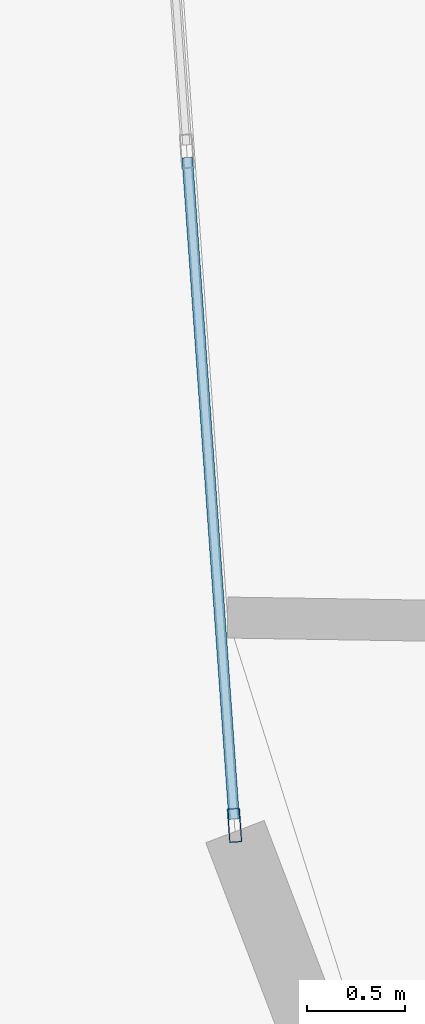
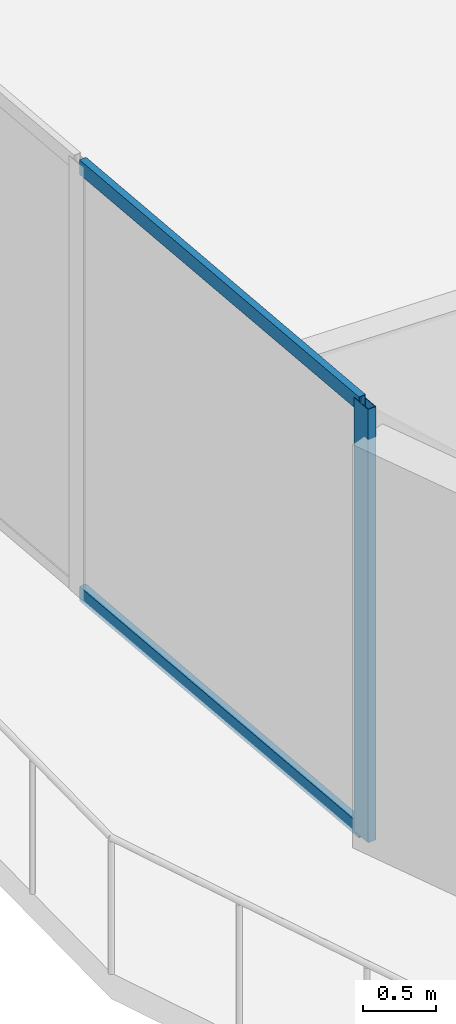
# One storey, part 5 of 22: 3 members, 1 element without a shape of its own.
"""IFC4 building model written with IfcOpenShell, lengths in metres."""

from ifc_helpers import new_model, si_unit, direction, frame, origin, origin_2d, place, context, subcontext, project, spatial, hollow_rectangle, extrude, source, transform, mapped, material, layer, layer_set, material_profile, profile_set, type_object, element, aggregate, save


model = new_model("IFC4")

# Units and contexts
model_context = context("Model", 3, precision=1e-05, world=origin(), true_north=direction((0.0, 1.0)))
body_context = subcontext(model_context, "Body", "Model", "MODEL_VIEW")
ifc_project = project(units=[si_unit("LENGTHUNIT", "METRE"), si_unit("AREAUNIT", "SQUARE_METRE"), si_unit("VOLUMEUNIT", "CUBIC_METRE"), si_unit("PLANEANGLEUNIT", "RADIAN"), si_unit("MASSUNIT", "GRAM", prefix="KILO")], contexts=[model_context])

# Site, building, storey
site_placement = place(None, origin())
site = spatial("IfcSite", under=ifc_project, at=site_placement, CompositionType="ELEMENT")
building_placement = place(site_placement, origin())
building = spatial("IfcBuilding", under=site, at=building_placement, Name="Solvirekh Grand Hotel", CompositionType="ELEMENT")
storey_placement = place(building_placement, frame((0.0, 0.0, 149.39990234375)))
storey = spatial("IfcBuildingStorey", under=building, at=storey_placement, Name="L38", CompositionType="ELEMENT", Elevation=149.39990234375)

# Curtain wall, members
ifc_material = material(Name="Anodized Bronze Aluminium 6063-T6", Category="aluminium")
ifc_layer = layer(ifc_material, 0.175048828125)
ifc_layer_set = layer_set([ifc_layer], Name="Anodized Bronze Aluminium 6063-T6")
curtain_wall_type = type_object("IfcCurtainWallType", Name="CW_Sys3_MidZoneFlushBronzeCW", PredefinedType="NOTDEFINED", material=ifc_layer_set)
curtain_wall_placement = place(storey_placement, origin())
curtain_wall = element("IfcCurtainWall", 1, at=curtain_wall_placement, inside=storey, type_object=curtain_wall_type, Name="L38 unitised bronze-glass curtain wall CW-L38-C13", PredefinedType="NOTDEFINED")
ifc_material_profile_1 = material_profile(ifc_material, hollow_rectangle(XDim=0.06494140625, YDim=0.175048828125, WallThickness=0.0048828125, at=origin_2d()), Name="ALU RHS 175X65X5")
ifc_profile_set_1 = profile_set([ifc_material_profile_1], Name="Anodized Bronze Aluminium 6063-T6")
member_type_1 = type_object("IfcMemberType", Name="CWMullion_Sys3", PredefinedType="MULLION", material=ifc_profile_set_1)
shared_shape_1 = source(origin(), body_context, "Body", "SweptSolid", [
    extrude(hollow_rectangle(XDim=0.06494140625, YDim=0.175048828125, WallThickness=0.0048828125, at=origin_2d()), origin(), (0.0, 0.0, 1.0), 3.60009765625),
])
member_1_placement = place(storey_placement, frame((-20.540283203125, -1.064697265625, 0.0), z_axis=(0.0, 0.0, 1.0), x_axis=(0.997499207582, 0.070677654689, 0.0)))
member_1 = element("IfcMember", 2, at=member_1_placement, type_object=member_type_1, Name="U03 mullion 3", PredefinedType="MULLION", context=body_context, shape_type="MappedRepresentation", body=[
    mapped(shared_shape_1, transform((0.0, 0.0, 0.0), x_axis=(1.0, 0.0, 0.0), y_axis=(0.0, 1.0, 0.0), z_axis=(0.0, 0.0, 1.0), scale=1.0)),
])
ifc_material_profile_2 = material_profile(ifc_material, hollow_rectangle(XDim=0.054931640625, YDim=0.1201171875, WallThickness=0.00390625, at=origin_2d()), Name="ALU RHS 120X55X4")
ifc_profile_set_2 = profile_set([ifc_material_profile_2], Name="Anodized Bronze Aluminium 6063-T6")
member_type_2 = type_object("IfcMemberType", Name="CWTransom_Sys3", PredefinedType="USERDEFINED", material=ifc_profile_set_2)
shared_shape_2 = source(origin(), body_context, "Body", "SweptSolid", [
    extrude(hollow_rectangle(XDim=0.054931640625, YDim=0.1201171875, WallThickness=0.00390625, at=origin_2d()), origin(), (0.0, 0.0, 1.0), 3.3974609375),
])
member_2_placement = place(storey_placement, frame((-20.78271484375, 2.356689453125, 0.027587890625), z_axis=(0.070710821073, -0.997496857029, 0.0), x_axis=(0.997496857029, 0.070710821073, 0.0)))
member_2 = element("IfcMember", 3, at=member_2_placement, type_object=member_type_2, Name="U03 transom 2.1", ObjectType="TRANSOM", PredefinedType="USERDEFINED", context=body_context, shape_type="MappedRepresentation", body=[
    mapped(shared_shape_2, transform((0.0, 0.0, 0.0), x_axis=(1.0, 0.0, 0.0), y_axis=(0.0, 1.0, 0.0), z_axis=(0.0, 0.0, 1.0), scale=1.0)),
])
member_3_placement = place(storey_placement, frame((-20.78271484375, 2.356689453125, 3.572509765625), z_axis=(0.070710821073, -0.997496857029, 0.0), x_axis=(0.997496857029, 0.070710821073, 0.0)))
member_3 = element("IfcMember", 4, at=member_3_placement, type_object=member_type_2, Name="U03 transom 2.2", ObjectType="TRANSOM", PredefinedType="USERDEFINED", context=body_context, shape_type="MappedRepresentation", body=[
    mapped(shared_shape_2, transform((0.0, 0.0, 0.0), x_axis=(1.0, 0.0, 0.0), y_axis=(0.0, 1.0, 0.0), z_axis=(0.0, 0.0, 1.0), scale=1.0)),
])
aggregate(curtain_wall, [member_1, member_2, member_3])

save(model, "model.ifc")
